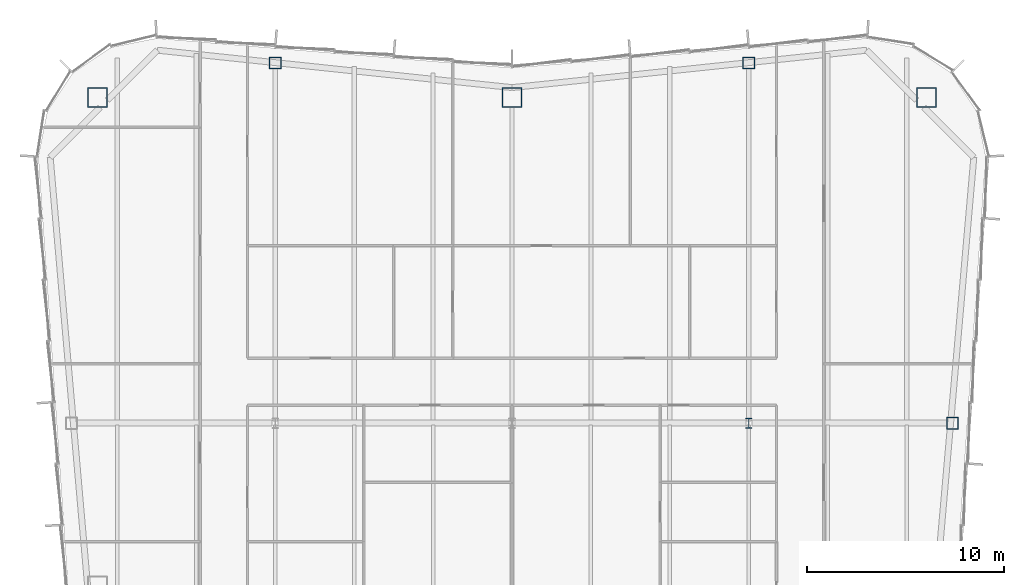
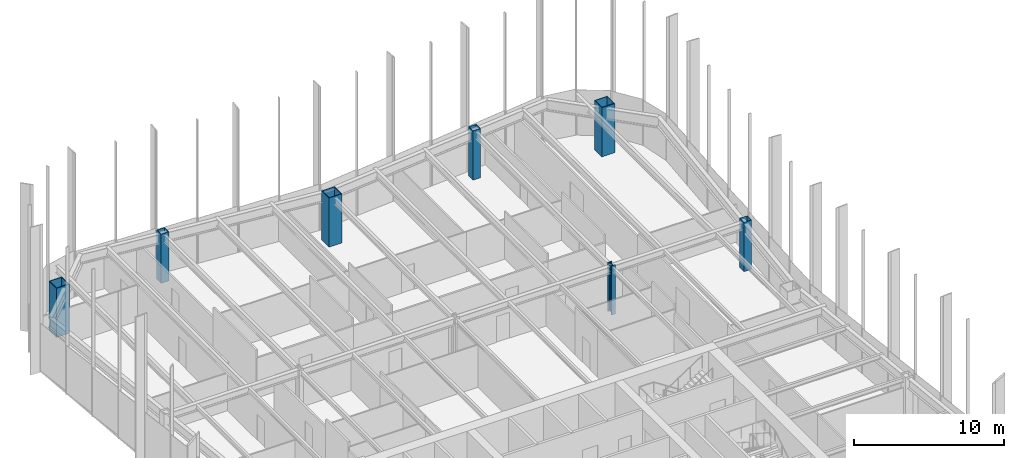
# One storey, part 2 of 15: 7 columns.
"""IFC4 building model written with IfcOpenShell, lengths in metres."""

from ifc_helpers import new_model, si_unit, direction, frame, origin, origin_2d, place, context, subcontext, project, spatial, hollow_rectangle, i_section, extrude, material, material_profile, profile_set, type_object, element, save


model = new_model("IFC4")

# Units and contexts
model_context = context("Model", 3, precision=1e-05, world=origin(), true_north=direction((0.0, 1.0)))
body_context = subcontext(model_context, "Body", "Model", "MODEL_VIEW")
ifc_project = project(units=[si_unit("LENGTHUNIT", "METRE"), si_unit("AREAUNIT", "SQUARE_METRE"), si_unit("VOLUMEUNIT", "CUBIC_METRE"), si_unit("PLANEANGLEUNIT", "RADIAN"), si_unit("MASSUNIT", "GRAM", prefix="KILO")], contexts=[model_context])

# Site, building, storey
site_placement = place(None, origin())
site = spatial("IfcSite", under=ifc_project, at=site_placement, CompositionType="ELEMENT")
building_placement = place(site_placement, origin())
building = spatial("IfcBuilding", under=site, at=building_placement, Name="Verdant Reach Tower", CompositionType="ELEMENT")
storey_placement = place(building_placement, frame((0.0, 0.0, 250.0)))
storey = spatial("IfcBuildingStorey", under=building, at=storey_placement, Name="L57", CompositionType="ELEMENT", Elevation=250.0)

# Columns
ifc_material = material(Name="Steel S460", Category="steel")
ifc_material_profile_1 = material_profile(ifc_material, i_section(OverallWidth=0.305908203125, OverallDepth=0.52392578125, WebThickness=0.012451171875, FlangeThickness=0.0400390625, FilletRadius=0.027099609375, at=origin_2d()), Name="HEM 500")
ifc_profile_set_1 = profile_set([ifc_material_profile_1], Name="Steel S460")
column_type_1 = type_object("IfcColumnType", Name="ST-COL-HEM500", PredefinedType="COLUMN", material=ifc_profile_set_1)
column_placement = place(storey_placement, frame((12.0, 49.5, 0.0), z_axis=(0.0, 0.0, 1.0), x_axis=(1.0, 0.0, 0.0)))
element("IfcColumn", 1, at=column_placement, inside=storey, type_object=column_type_1, Name="Interior column 3, L57", PredefinedType="COLUMN", context=body_context, shape_type="SweptSolid", body=[
    extrude(i_section(OverallWidth=0.305908203125, OverallDepth=0.52392578125, WebThickness=0.012451171875, FlangeThickness=0.0400390625, FilletRadius=0.027099609375, at=origin_2d()), origin(), (0.0, 0.0, 1.0), 4.0),
])
ifc_material_profile_2 = material_profile(ifc_material, hollow_rectangle(XDim=1.0, YDim=1.0, WallThickness=0.044921875, at=origin_2d()), Name="WB 1000x1000x45")
ifc_profile_set_2 = profile_set([ifc_material_profile_2], Name="Steel S460")
column_type_2 = type_object("IfcColumnType", Name="ST-COL-WB1000x1000x45", PredefinedType="COLUMN", material=ifc_profile_set_2)
for number, where, z_axis, x_axis, name in (
    (2, (-21.0, 66.0, 0.0), (0.0, 0.0, 1.0), (1.0, 0.0, 0.0), "Mega column north-west, L57"),
    (3, (0.0, 66.0, 0.0), (0.0, 0.0, 1.0), (1.0, 0.0, 0.0), "Mega column north, L57"),
    (4, (21.0, 66.0, 0.0), (0.0, 0.0, 1.0), (1.0, 0.0, 0.0), "Mega column north-east, L57"),
):
    element("IfcColumn", number, at=place(storey_placement, frame(where, z_axis=z_axis, x_axis=x_axis)), inside=storey, type_object=column_type_2, Name=name, PredefinedType="COLUMN", context=body_context, shape_type="SweptSolid", body=[
        extrude(hollow_rectangle(XDim=1.0, YDim=1.0, WallThickness=0.044921875, at=origin_2d()), origin(), (0.0, 0.0, 1.0), 4.0),
    ])
ifc_material_profile_3 = material_profile(ifc_material, hollow_rectangle(XDim=0.60009765625, YDim=0.60009765625, WallThickness=0.02490234375, at=origin_2d()), Name="WB 600x600x25")
ifc_profile_set_3 = profile_set([ifc_material_profile_3], Name="Steel S460")
column_type_3 = type_object("IfcColumnType", Name="ST-COL-WB600x600x25", PredefinedType="COLUMN", material=ifc_profile_set_3)
for number, where, z_axis, x_axis, name in (
    (5, (-12.0, 67.75, 0.0), (0.0, 0.0, 1.0), (1.0, 0.0, 0.0), "Perimeter column north 1, L57"),
    (6, (12.0, 67.75, 0.0), (0.0, 0.0, 1.0), (1.0, 0.0, 0.0), "Perimeter column north 2, L57"),
    (7, (22.319091796875, 49.5, 0.0), (0.0, 0.0, 1.0), (1.0, 0.0, 0.0), "Perimeter column east 2, L57"),
):
    element("IfcColumn", number, at=place(storey_placement, frame(where, z_axis=z_axis, x_axis=x_axis)), inside=storey, type_object=column_type_3, Name=name, PredefinedType="COLUMN", context=body_context, shape_type="SweptSolid", body=[
        extrude(hollow_rectangle(XDim=0.60009765625, YDim=0.60009765625, WallThickness=0.02490234375, at=origin_2d()), origin(), (0.0, 0.0, 1.0), 4.0),
    ])

save(model, "model.ifc")
